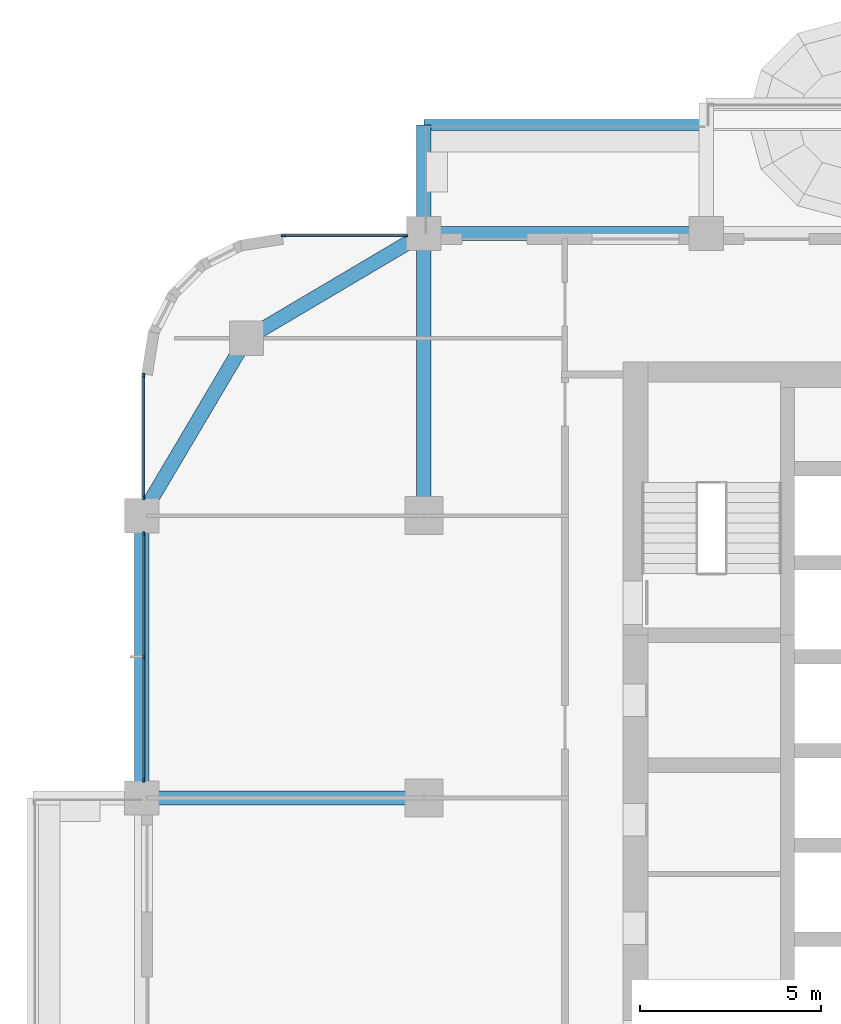
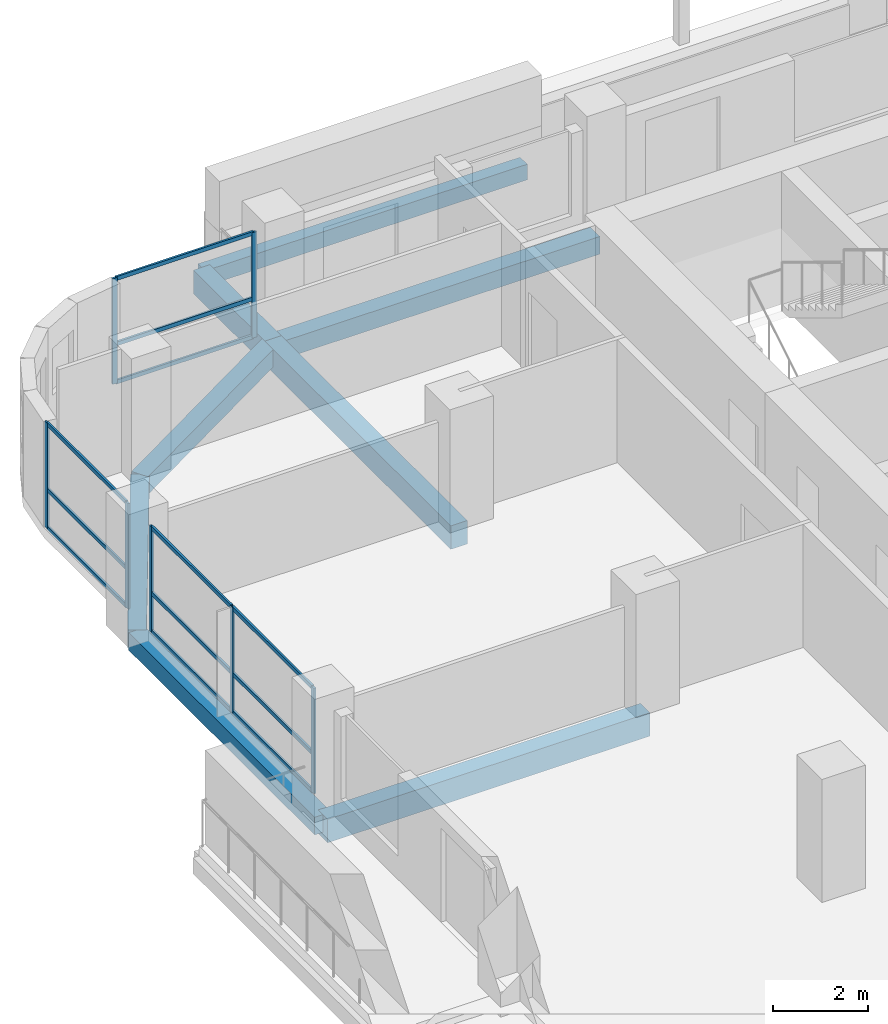
# One storey, part 6 of 21: 19 members, 8 beams, 3 elements without a shape of their own.
"""IFC4 building model written with IfcOpenShell, lengths in metres."""

from ifc_helpers import new_model, si_unit, direction, frame, origin, origin_2d, place, context, subcontext, project, spatial, rectangle, extrude, material, material_profile, profile_set, type_object, element, aggregate, save


model = new_model("IFC4")

# Units and contexts
model_context = context("Model", 3, precision=1e-05, world=origin(), true_north=direction((0.0, 1.0)))
body_context = subcontext(model_context, "Body", "Model", "MODEL_VIEW")
ifc_project = project(units=[si_unit("LENGTHUNIT", "METRE"), si_unit("AREAUNIT", "SQUARE_METRE"), si_unit("VOLUMEUNIT", "CUBIC_METRE"), si_unit("PLANEANGLEUNIT", "RADIAN"), si_unit("MASSUNIT", "GRAM", prefix="KILO")], contexts=[model_context])

# Site, building, storey
site_placement = place(None, origin())
site = spatial("IfcSite", under=ifc_project, at=site_placement, CompositionType="ELEMENT")
building_placement = place(site_placement, origin())
building = spatial("IfcBuilding", under=site, at=building_placement, Name="Ludao Terraces", CompositionType="ELEMENT")
storey_placement = place(building_placement, frame((0.0, 0.0, 71.60009765625)))
storey = spatial("IfcBuildingStorey", under=building, at=storey_placement, Name="L19", CompositionType="ELEMENT", Elevation=71.60009765625)

# Curtain wall, members
ifc_material_1 = material(Name="Aluminium curtain wall with fritted glass", Category="aluminium")
curtain_wall_type = type_object("IfcCurtainWallType", Name="ENV CW3 community glazing", PredefinedType="NOTDEFINED", material=ifc_material_1)
curtain_wall_1_placement = place(storey_placement, origin())
curtain_wall_1 = element("IfcCurtainWall", 1, at=curtain_wall_1_placement, inside=storey, type_object=curtain_wall_type, Name="Community floor glazing L19 N1", PredefinedType="NOTDEFINED")
ifc_material_2 = material(Name="Aluminium 6063-T6", Category="aluminium")
ifc_material_profile_1 = material_profile(ifc_material_2, rectangle(XDim=0.050048828125, YDim=0.1201171875, at=origin_2d()), Name="50 X 120")
ifc_profile_set_1 = profile_set([ifc_material_profile_1], Name="Aluminium 6063-T6")
member_type_1 = type_object("IfcMemberType", Name="ENV CW3 mullion 50x120", PredefinedType="MULLION", material=ifc_profile_set_1)
member_1_placement = place(storey_placement, frame((65.52490234375, 88.340087890625, 0.0), z_axis=(0.0, 0.0, 1.0), x_axis=(0.0, 1.0, 0.0)))
member_1 = element("IfcMember", 2, at=member_1_placement, type_object=member_type_1, Name="CW3 mullion 1", PredefinedType="MULLION", context=body_context, shape_type="SweptSolid", body=[
    extrude(rectangle(XDim=0.050048828125, YDim=0.1201171875, at=origin_2d()), origin(), (0.0, 0.0, 1.0), 2.699951171875),
])
member_2_placement = place(storey_placement, frame((68.89990234375, 88.340087890625, 0.0), z_axis=(0.0, 0.0, 1.0), x_axis=(0.0, 1.0, 0.0)))
member_2 = element("IfcMember", 3, at=member_2_placement, type_object=member_type_1, Name="CW3 mullion 2", PredefinedType="MULLION", context=body_context, shape_type="SweptSolid", body=[
    extrude(rectangle(XDim=0.050048828125, YDim=0.1201171875, at=origin_2d()), origin(), (0.0, 0.0, 1.0), 2.699951171875),
])

curtain_wall_2_placement = place(storey_placement, origin())
curtain_wall_2 = element("IfcCurtainWall", 4, at=curtain_wall_2_placement, inside=storey, type_object=curtain_wall_type, Name="Community floor glazing L19 W5", PredefinedType="NOTDEFINED")
member_3_placement = place(storey_placement, frame((61.659912109375, 73.300048828125, 0.0), z_axis=(0.0, 0.0, 1.0), x_axis=(-1.0, 0.0, 0.0)))
member_3 = element("IfcMember", 5, at=member_3_placement, type_object=member_type_1, Name="CW3 mullion 1", PredefinedType="MULLION", context=body_context, shape_type="SweptSolid", body=[
    extrude(rectangle(XDim=0.050048828125, YDim=0.1201171875, at=origin_2d()), origin(), (0.0, 0.0, 1.0), 2.699951171875),
])
member_4_placement = place(storey_placement, frame((61.659912109375, 76.699951171875, 0.0), z_axis=(0.0, 0.0, 1.0), x_axis=(-1.0, 0.0, 0.0)))
member_4 = element("IfcMember", 6, at=member_4_placement, type_object=member_type_1, Name="CW3 mullion 2", PredefinedType="MULLION", context=body_context, shape_type="SweptSolid", body=[
    extrude(rectangle(XDim=0.050048828125, YDim=0.1201171875, at=origin_2d()), origin(), (0.0, 0.0, 1.0), 2.699951171875),
])
member_5_placement = place(storey_placement, frame((61.659912109375, 80.10009765625, 0.0), z_axis=(0.0, 0.0, 1.0), x_axis=(-1.0, 0.0, 0.0)))
member_5 = element("IfcMember", 7, at=member_5_placement, type_object=member_type_1, Name="CW3 mullion 3", PredefinedType="MULLION", context=body_context, shape_type="SweptSolid", body=[
    extrude(rectangle(XDim=0.050048828125, YDim=0.1201171875, at=origin_2d()), origin(), (0.0, 0.0, 1.0), 2.699951171875),
])

curtain_wall_3_placement = place(storey_placement, origin())
curtain_wall_3 = element("IfcCurtainWall", 8, at=curtain_wall_3_placement, inside=storey, type_object=curtain_wall_type, Name="Community floor glazing L19 W6", PredefinedType="NOTDEFINED")
member_6_placement = place(storey_placement, frame((61.659912109375, 81.10009765625, 0.0), z_axis=(0.0, 0.0, 1.0), x_axis=(-1.0, 0.0, 0.0)))
member_6 = element("IfcMember", 9, at=member_6_placement, type_object=member_type_1, Name="CW3 mullion 1", PredefinedType="MULLION", context=body_context, shape_type="SweptSolid", body=[
    extrude(rectangle(XDim=0.050048828125, YDim=0.1201171875, at=origin_2d()), origin(), (0.0, 0.0, 1.0), 2.699951171875),
])
member_7_placement = place(storey_placement, frame((61.659912109375, 84.47509765625, 0.0), z_axis=(0.0, 0.0, 1.0), x_axis=(-1.0, 0.0, 0.0)))
member_7 = element("IfcMember", 10, at=member_7_placement, type_object=member_type_1, Name="CW3 mullion 2", PredefinedType="MULLION", context=body_context, shape_type="SweptSolid", body=[
    extrude(rectangle(XDim=0.050048828125, YDim=0.1201171875, at=origin_2d()), origin(), (0.0, 0.0, 1.0), 2.699951171875),
])

# Member
ifc_material_profile_2 = material_profile(ifc_material_2, rectangle(XDim=0.050048828125, YDim=0.10009765625, at=origin_2d()), Name="50 X 100")
ifc_profile_set_2 = profile_set([ifc_material_profile_2], Name="Aluminium 6063-T6")
member_type_2 = type_object("IfcMemberType", Name="ENV CW3 transom 50x100", PredefinedType="USERDEFINED", material=ifc_profile_set_2)
member_8_placement = place(storey_placement, frame((65.550048828125, 88.340087890625, 0.02490234375), z_axis=(1.0, 0.0, 0.0), x_axis=(0.0, 1.0, 0.0)))
member_8 = element("IfcMember", 11, at=member_8_placement, type_object=member_type_2, Name="CW3 transom 1.1", ObjectType="TRANSOM", PredefinedType="USERDEFINED", context=body_context, shape_type="SweptSolid", body=[
    extrude(rectangle(XDim=0.050048828125, YDim=0.10009765625, at=origin_2d()), origin(), (0.0, 0.0, 1.0), 3.324951171875),
])

member_9_placement = place(storey_placement, frame((65.550048828125, 88.340087890625, 1.0), z_axis=(1.0, 0.0, 0.0), x_axis=(0.0, 1.0, 0.0)))
member_9 = element("IfcMember", 12, at=member_9_placement, type_object=member_type_2, Name="CW3 transom 1.2", ObjectType="TRANSOM", PredefinedType="USERDEFINED", context=body_context, shape_type="SweptSolid", body=[
    extrude(rectangle(XDim=0.050048828125, YDim=0.10009765625, at=origin_2d()), origin(), (0.0, 0.0, 1.0), 3.324951171875),
])

member_10_placement = place(storey_placement, frame((65.550048828125, 88.340087890625, 2.6748046875), z_axis=(1.0, 0.0, 0.0), x_axis=(0.0, 1.0, 0.0)))
member_10 = element("IfcMember", 13, at=member_10_placement, type_object=member_type_2, Name="CW3 transom 1.3", ObjectType="TRANSOM", PredefinedType="USERDEFINED", context=body_context, shape_type="SweptSolid", body=[
    extrude(rectangle(XDim=0.050048828125, YDim=0.10009765625, at=origin_2d()), origin(), (0.0, 0.0, 1.0), 3.324951171875),
])

aggregate(curtain_wall_1, [member_1, member_2, member_8, member_9, member_10])

member_11_placement = place(storey_placement, frame((61.659912109375, 73.324951171875, 0.02490234375), z_axis=(0.0, 1.0, 0.0), x_axis=(-1.0, 0.0, 0.0)))
member_11 = element("IfcMember", 14, at=member_11_placement, type_object=member_type_2, Name="CW3 transom 1.1", ObjectType="TRANSOM", PredefinedType="USERDEFINED", context=body_context, shape_type="SweptSolid", body=[
    extrude(rectangle(XDim=0.050048828125, YDim=0.10009765625, at=origin_2d()), origin(), (0.0, 0.0, 1.0), 3.35009765625),
])

member_12_placement = place(storey_placement, frame((61.659912109375, 73.324951171875, 1.0), z_axis=(0.0, 1.0, 0.0), x_axis=(-1.0, 0.0, 0.0)))
member_12 = element("IfcMember", 15, at=member_12_placement, type_object=member_type_2, Name="CW3 transom 1.2", ObjectType="TRANSOM", PredefinedType="USERDEFINED", context=body_context, shape_type="SweptSolid", body=[
    extrude(rectangle(XDim=0.050048828125, YDim=0.10009765625, at=origin_2d()), origin(), (0.0, 0.0, 1.0), 3.35009765625),
])

member_13_placement = place(storey_placement, frame((61.659912109375, 73.324951171875, 2.6748046875), z_axis=(0.0, 1.0, 0.0), x_axis=(-1.0, 0.0, 0.0)))
member_13 = element("IfcMember", 16, at=member_13_placement, type_object=member_type_2, Name="CW3 transom 1.3", ObjectType="TRANSOM", PredefinedType="USERDEFINED", context=body_context, shape_type="SweptSolid", body=[
    extrude(rectangle(XDim=0.050048828125, YDim=0.10009765625, at=origin_2d()), origin(), (0.0, 0.0, 1.0), 3.35009765625),
])

member_14_placement = place(storey_placement, frame((61.659912109375, 76.72509765625, 0.02490234375), z_axis=(0.0, 1.0, 0.0), x_axis=(-1.0, 0.0, 0.0)))
member_14 = element("IfcMember", 17, at=member_14_placement, type_object=member_type_2, Name="CW3 transom 2.1", ObjectType="TRANSOM", PredefinedType="USERDEFINED", context=body_context, shape_type="SweptSolid", body=[
    extrude(rectangle(XDim=0.050048828125, YDim=0.10009765625, at=origin_2d()), origin(), (0.0, 0.0, 1.0), 3.349853515625),
])

member_15_placement = place(storey_placement, frame((61.659912109375, 76.72509765625, 1.0), z_axis=(0.0, 1.0, 0.0), x_axis=(-1.0, 0.0, 0.0)))
member_15 = element("IfcMember", 18, at=member_15_placement, type_object=member_type_2, Name="CW3 transom 2.2", ObjectType="TRANSOM", PredefinedType="USERDEFINED", context=body_context, shape_type="SweptSolid", body=[
    extrude(rectangle(XDim=0.050048828125, YDim=0.10009765625, at=origin_2d()), origin(), (0.0, 0.0, 1.0), 3.349853515625),
])

member_16_placement = place(storey_placement, frame((61.659912109375, 76.72509765625, 2.6748046875), z_axis=(0.0, 1.0, 0.0), x_axis=(-1.0, 0.0, 0.0)))
member_16 = element("IfcMember", 19, at=member_16_placement, type_object=member_type_2, Name="CW3 transom 2.3", ObjectType="TRANSOM", PredefinedType="USERDEFINED", context=body_context, shape_type="SweptSolid", body=[
    extrude(rectangle(XDim=0.050048828125, YDim=0.10009765625, at=origin_2d()), origin(), (0.0, 0.0, 1.0), 3.349853515625),
])

aggregate(curtain_wall_2, [member_3, member_4, member_5, member_11, member_12, member_13, member_14, member_15, member_16])

member_17_placement = place(storey_placement, frame((61.659912109375, 81.125, 0.02490234375), z_axis=(0.0, 1.0, 0.0), x_axis=(-1.0, 0.0, 0.0)))
member_17 = element("IfcMember", 20, at=member_17_placement, type_object=member_type_2, Name="CW3 transom 1.1", ObjectType="TRANSOM", PredefinedType="USERDEFINED", context=body_context, shape_type="SweptSolid", body=[
    extrude(rectangle(XDim=0.050048828125, YDim=0.10009765625, at=origin_2d()), origin(), (0.0, 0.0, 1.0), 3.324951171875),
])

member_18_placement = place(storey_placement, frame((61.659912109375, 81.125, 1.0), z_axis=(0.0, 1.0, 0.0), x_axis=(-1.0, 0.0, 0.0)))
member_18 = element("IfcMember", 21, at=member_18_placement, type_object=member_type_2, Name="CW3 transom 1.2", ObjectType="TRANSOM", PredefinedType="USERDEFINED", context=body_context, shape_type="SweptSolid", body=[
    extrude(rectangle(XDim=0.050048828125, YDim=0.10009765625, at=origin_2d()), origin(), (0.0, 0.0, 1.0), 3.324951171875),
])

member_19_placement = place(storey_placement, frame((61.659912109375, 81.125, 2.6748046875), z_axis=(0.0, 1.0, 0.0), x_axis=(-1.0, 0.0, 0.0)))
member_19 = element("IfcMember", 22, at=member_19_placement, type_object=member_type_2, Name="CW3 transom 1.3", ObjectType="TRANSOM", PredefinedType="USERDEFINED", context=body_context, shape_type="SweptSolid", body=[
    extrude(rectangle(XDim=0.050048828125, YDim=0.10009765625, at=origin_2d()), origin(), (0.0, 0.0, 1.0), 3.324951171875),
])

aggregate(curtain_wall_3, [member_6, member_7, member_17, member_18, member_19])

# Beams
ifc_material_3 = material(Name="Concrete C40", Category="concrete")
ifc_material_profile_3 = material_profile(ifc_material_3, rectangle(XDim=0.300048828125, YDim=0.39990234375, at=origin_2d()), Name="300 X 400")
ifc_profile_set_3 = profile_set([ifc_material_profile_3], Name="Concrete C40")
beam_type_1 = type_object("IfcBeamType", Name="RC beam 300x400 C40", PredefinedType="BEAM", material=ifc_profile_set_3)
beam_1_placement = place(storey_placement, frame((69.39990234375, 91.39990234375, -0.4501953125), z_axis=(1.0, 0.0, 0.0), x_axis=(0.0, 1.0, 0.0)))
element("IfcBeam", 23, at=beam_1_placement, inside=storey, type_object=beam_type_1, Name="Balcony edge beam L19 N1", PredefinedType="BEAM", context=body_context, shape_type="SweptSolid", body=[
    extrude(rectangle(XDim=0.300048828125, YDim=0.39990234375, at=origin_2d()), origin(), (0.0, 0.0, 1.0), 7.800048828125),
])
ifc_material_profile_4 = material_profile(ifc_material_3, rectangle(XDim=0.39990234375, YDim=0.449951171875, at=origin_2d()), Name="400 X 450")
ifc_profile_set_4 = profile_set([ifc_material_profile_4], Name="Concrete C40")
beam_type_2 = type_object("IfcBeamType", Name="RC beam 400x450 C40", PredefinedType="BEAM", material=ifc_profile_set_4)
beam_2_placement = place(storey_placement, frame((64.5, 85.5, -0.47509765625), z_axis=(0.860579751256, 0.509315709288, 0.0), x_axis=(-0.509315709288, 0.860579751256, 0.0)))
element("IfcBeam", 24, at=beam_2_placement, inside=storey, type_object=beam_type_2, Name="Spandrel beam L19 N7", PredefinedType="BEAM", context=body_context, shape_type="SweptSolid", body=[
    extrude(rectangle(XDim=0.39990234375, YDim=0.449951171875, at=origin_2d()), origin(), (0.0, 0.0, 1.0), 5.693603515625),
])
for number, where, z_axis, x_axis, name in (
    (25, (69.39990234375, 88.39990234375, -0.47509765625), (1.0, 0.0, 0.0), (0.0, 1.0, 0.0), "Spandrel beam L19 N8"),
    (26, (61.60009765625, 72.800048828125, -0.47509765625), (0.0, 1.0, 0.0), (-1.0, 0.0, 0.0), "Spandrel beam L19 W17"),
):
    element("IfcBeam", number, at=place(storey_placement, frame(where, z_axis=z_axis, x_axis=x_axis)), inside=storey, type_object=beam_type_2, Name=name, PredefinedType="BEAM", context=body_context, shape_type="SweptSolid", body=[
        extrude(rectangle(XDim=0.39990234375, YDim=0.449951171875, at=origin_2d()), origin(), (0.0, 0.0, 1.0), 7.800048828125),
    ])
beam_3_placement = place(storey_placement, frame((61.60009765625, 80.60009765625, -0.47509765625), z_axis=(0.509315709288, 0.860579751256, 0.0), x_axis=(-0.860579751256, 0.509315709288, 0.0)))
element("IfcBeam", 27, at=beam_3_placement, inside=storey, type_object=beam_type_2, Name="Spandrel beam L19 W18", PredefinedType="BEAM", context=body_context, shape_type="SweptSolid", body=[
    extrude(rectangle(XDim=0.39990234375, YDim=0.449951171875, at=origin_2d()), origin(), (0.0, 0.0, 1.0), 5.693603515625),
])
ifc_material_profile_5 = material_profile(ifc_material_3, rectangle(XDim=0.39990234375, YDim=0.60009765625, at=origin_2d()), Name="400 X 600")
ifc_profile_set_5 = profile_set([ifc_material_profile_5], Name="Concrete C40")
beam_type_3 = type_object("IfcBeamType", Name="RC beam 400x600 C40", PredefinedType="BEAM", material=ifc_profile_set_5)
beam_4_placement = place(storey_placement, frame((69.39990234375, 80.60009765625, -0.550048828125), z_axis=(0.0, 1.0, 0.0), x_axis=(-1.0, 0.0, 0.0)))
element("IfcBeam", 28, at=beam_4_placement, inside=storey, type_object=beam_type_3, Name="Balcony beam L19 N694", PredefinedType="BEAM", context=body_context, shape_type="SweptSolid", body=[
    extrude(rectangle(XDim=0.39990234375, YDim=0.60009765625, at=origin_2d()), origin(), (0.0, 0.0, 1.0), 7.7998046875),
])
beam_5_placement = place(storey_placement, frame((69.39990234375, 88.39990234375, -0.550048828125), z_axis=(0.0, 1.0, 0.0), x_axis=(-1.0, 0.0, 0.0)))
element("IfcBeam", 29, at=beam_5_placement, inside=storey, type_object=beam_type_3, Name="Balcony beam L19 N694", PredefinedType="BEAM", context=body_context, shape_type="SweptSolid", body=[
    extrude(rectangle(XDim=0.39990234375, YDim=0.60009765625, at=origin_2d()), origin(), (0.0, 0.0, 1.0), 3.0),
])
beam_6_placement = place(storey_placement, frame((69.39990234375, 72.800048828125, -0.550048828125), z_axis=(-1.0, 0.0, 0.0), x_axis=(0.0, -1.0, 0.0)))
element("IfcBeam", 30, at=beam_6_placement, inside=storey, type_object=beam_type_3, Name="Balcony beam L19 W728", PredefinedType="BEAM", context=body_context, shape_type="SweptSolid", body=[
    extrude(rectangle(XDim=0.39990234375, YDim=0.60009765625, at=origin_2d()), origin(), (0.0, 0.0, 1.0), 7.7998046875),
])

save(model, "model.ifc")
